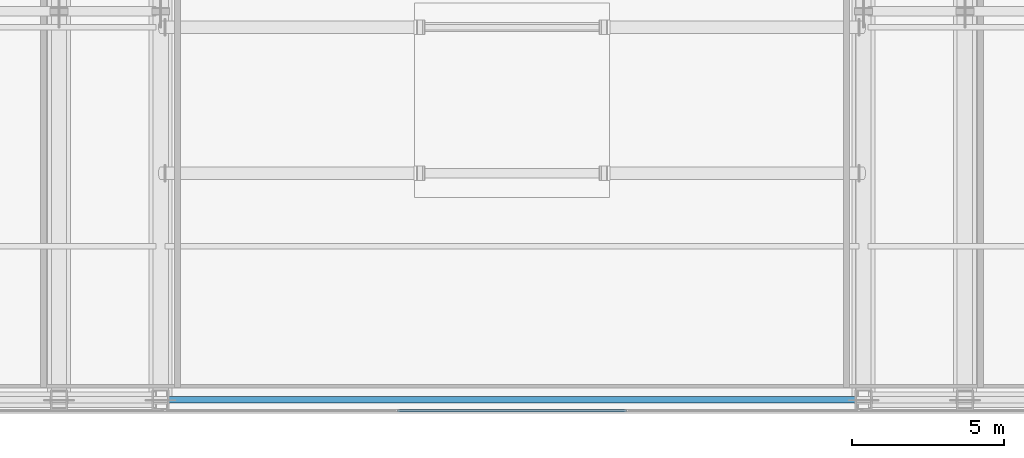
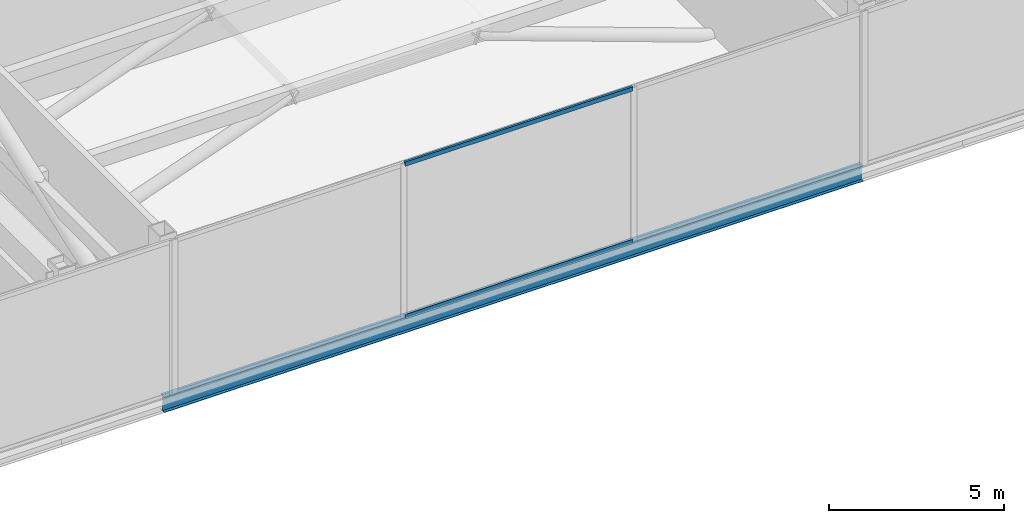
# One storey, part 7 of 26: 2 members, 1 beam, 1 element without a shape of its own.
"""IFC4 building model written with IfcOpenShell, lengths in metres."""

import ifcopenshell
import ifcopenshell.guid

model = None  # the IFC model being written
_history = None  # IfcOwnerHistory: only IFC2X3 demands one
_inside = {}  # id of a spatial element -> (the spatial element, [elements in it])
_under = {}  # id of a project, library or spatial element -> (it, [spatial elements below it])
_declared = {}  # id of a project -> (the project, [libraries it declares])
_typed = {}  # id of a type object -> (the type object, [elements of that type])
_made_of = {}  # id of a material, layer set ... -> (it, [elements and type objects made of it])


def new_model(schema):
    """Start an empty IFC model of exactly this schema.

    Asked for "IFC4X3", IfcOpenShell would pick the latest addendum, in which some entities
    have other attributes; the version numbers below select the first issue.
    IFC2X3 requires an IfcOwnerHistory on every rooted entity: one is made here for all.
    """
    global model, _history
    if schema == "IFC4X3":
        model = ifcopenshell.file(schema_version=(4, 3, 0, 0))
    else:
        model = ifcopenshell.file(schema=schema)
    _inside.clear()
    _under.clear()
    _declared.clear()
    _typed.clear()
    _made_of.clear()
    _history = None
    if model.schema == "IFC2X3":
        org = make("IfcOrganization", Name="unknown")
        user = make(
            "IfcPersonAndOrganization",
            ThePerson=make("IfcPerson", FamilyName="unknown"),
            TheOrganization=org,
        )
        app = make(
            "IfcApplication",
            ApplicationDeveloper=org,
            Version="unknown",
            ApplicationFullName="unknown",
            ApplicationIdentifier="unknown",
        )
        _history = make(
            "IfcOwnerHistory",
            OwningUser=user,
            OwningApplication=app,
            ChangeAction="ADDED",
            CreationDate=0,
        )
    return model


def make(cls, **values):
    """One entity of the class cls with the attributes given. An attribute that is None is left unset."""
    return model.create_entity(
        cls, **{name: value for name, value in values.items() if value is not None}
    )


def rooted(cls, **values):
    """An entity with a GlobalId (a new one), such as an element, a storey or a relation."""
    return make(cls, GlobalId=ifcopenshell.guid.new(), OwnerHistory=_history, **values)


def si_unit(unit_type, name, prefix=None):
    """IfcSIUnit, for example si_unit("LENGTHUNIT", "METRE", prefix="MILLI")."""
    return make("IfcSIUnit", UnitType=unit_type, Prefix=prefix, Name=name)


def assignment(units):
    """IfcUnitAssignment: the units of a project."""
    return None if units is None else make("IfcUnitAssignment", Units=units)


def point(xyz):
    """IfcCartesianPoint."""
    return None if xyz is None else make("IfcCartesianPoint", Coordinates=xyz)


def direction(xyz):
    """IfcDirection."""
    return None if xyz is None else make("IfcDirection", DirectionRatios=xyz)


def frame(location, z_axis=None, x_axis=None):
    """IfcAxis2Placement3D, a coordinate frame: its origin and axes. An axis left out is left unset."""
    return make(
        "IfcAxis2Placement3D",
        Location=point(location),
        Axis=direction(z_axis),
        RefDirection=direction(x_axis),
    )


def frame_2d(location, x_axis=None):
    """IfcAxis2Placement2D, a coordinate frame in the plane: its origin and x axis."""
    return make(
        "IfcAxis2Placement2D", Location=point(location), RefDirection=direction(x_axis)
    )


def origin():
    """The frame at (0, 0, 0) with its axes left unset."""
    return frame((0.0, 0.0, 0.0))


def origin_2d():
    """The frame at (0, 0) in the plane with its x axis left unset."""
    return frame_2d((0.0, 0.0))


def place(relative_to, where):
    """IfcLocalPlacement: puts the frame where relative to a parent placement (None: the world)."""
    return make(
        "IfcLocalPlacement", PlacementRelTo=relative_to, RelativePlacement=where
    )


def context(
    kind, dimensions, precision=None, world=None, true_north=None, identifier=None
):
    """IfcGeometricRepresentationContext, for example the 3D "Model" context."""
    return make(
        "IfcGeometricRepresentationContext",
        ContextIdentifier=identifier,
        ContextType=kind,
        CoordinateSpaceDimension=dimensions,
        Precision=precision,
        WorldCoordinateSystem=world,
        TrueNorth=true_north,
    )


def subcontext(parent, identifier, kind, view, scale=None):
    """IfcGeometricRepresentationSubContext, for example "Body" below "Model"."""
    return make(
        "IfcGeometricRepresentationSubContext",
        ContextIdentifier=identifier,
        ContextType=kind,
        ParentContext=parent,
        TargetScale=scale,
        TargetView=view,
    )


def project(units=None, contexts=None):
    """IfcProject with its units and contexts."""
    return rooted(
        "IfcProject",
        Name="project",
        RepresentationContexts=contexts,
        UnitsInContext=assignment(units),
    )


def spatial(cls, under=None, at=None, **own):
    """A site, building, storey or space (cls), placed at a placement, below another one or the project."""
    s = rooted(cls, ObjectPlacement=at, **own)
    if under is not None:
        _under.setdefault(under.id(), (under, []))[1].append(s)
    return s


def profile(cls, at=None, kind="AREA", **sizes):
    """A parametric profile (cls). Its sizes go by their IFC names, for example OverallWidth=200.0."""
    return make(cls, ProfileType=kind, Position=at, **sizes)


def hollow_rectangle(**sizes):
    """IfcRectangleHollowProfileDef."""
    return profile("IfcRectangleHollowProfileDef", **sizes)


def i_section(**sizes):
    """IfcIShapeProfileDef."""
    return profile("IfcIShapeProfileDef", **sizes)


def extrude(swept, where, along, depth):
    """IfcExtrudedAreaSolid: the profile swept, set in the frame where, extruded along a direction by depth."""
    return make(
        "IfcExtrudedAreaSolid",
        SweptArea=swept,
        Position=where,
        ExtrudedDirection=direction(along),
        Depth=depth,
    )


def shape(context_of_items, identifier, shape_type, items):
    """IfcShapeRepresentation: the items that make up one representation, for example the "Body"."""
    return make(
        "IfcShapeRepresentation",
        ContextOfItems=context_of_items,
        RepresentationIdentifier=identifier,
        RepresentationType=shape_type,
        Items=items,
    )


def material(Name=None, Category=None):
    """IfcMaterial."""
    return make("IfcMaterial", Name=Name, Category=Category)


def material_profile(
    of_material, cross_section, Name=None, Category=None, Priority=None
):
    """IfcMaterialProfile: a cross section and its material."""
    return make(
        "IfcMaterialProfile",
        Name=Name,
        Material=of_material,
        Profile=cross_section,
        Priority=Priority,
        Category=Category,
    )


def profile_set(profiles, Name=None, composite=None):
    """IfcMaterialProfileSet."""
    return make(
        "IfcMaterialProfileSet",
        Name=Name,
        MaterialProfiles=profiles,
        CompositeProfile=composite,
    )


def made_of(thing, what):
    """Note that an element or type object is made of a material, layer set ...; save() writes the relation."""
    if what is not None:
        _made_of.setdefault(what.id(), (what, []))[1].append(thing)
    return thing


def type_object(cls, material=None, **own):
    """A type object (cls), such as IfcWallType, which elements share."""
    return made_of(rooted(cls, **own), material)


def element(
    cls,
    number,
    at=None,
    inside=None,
    cuts=None,
    type_object=None,
    material=None,
    context=None,
    identifier="Body",
    shape_type=None,
    held_by="IfcProductDefinitionShape",
    body=None,
    shapes=None,
    **own,
):
    """One element of the class cls, such as IfcWall. Its Tag is "e" and its number.

    at: its placement. inside: the storey or other place that contains it. cuts: it is an
    opening in that element (IfcRelVoidsElement). A single representation is given by context,
    identifier, shape_type and body (its items); several are given by shapes. held_by: the class
    of the entity that holds the representations. save() writes the other relations.
    """
    e = rooted(cls, Tag="e%d" % number, ObjectPlacement=at, **own)
    if body is not None:
        shapes = [shape(context, identifier, shape_type, body)]
    if shapes is not None:
        e.Representation = make(held_by, Representations=shapes)
    if inside is not None:
        _inside.setdefault(inside.id(), (inside, []))[1].append(e)
    if cuts is not None:
        rooted(
            "IfcRelVoidsElement", RelatingBuildingElement=cuts, RelatedOpeningElement=e
        )
    if type_object is not None:
        _typed.setdefault(type_object.id(), (type_object, []))[1].append(e)
    return made_of(e, material)


def aggregate(whole, parts):
    """IfcRelAggregates: a whole, such as a stair, and the parts it consists of."""
    return rooted("IfcRelAggregates", RelatingObject=whole, RelatedObjects=parts)


def save(model, path):
    """Write the relations noted so far, then the file.

    IfcRelAggregates (storeys below a building ...), IfcRelContainedInSpatialStructure (elements
    in a storey), IfcRelDefinesByType, IfcRelAssociatesMaterial and IfcRelDeclares: one each for
    every whole, place, type object, material and project.
    """
    for whole, parts in _under.values():
        aggregate(whole, parts)
    for where, things in _inside.values():
        rooted(
            "IfcRelContainedInSpatialStructure",
            RelatedElements=things,
            RelatingStructure=where,
        )
    for kind, things in _typed.values():
        rooted("IfcRelDefinesByType", RelatedObjects=things, RelatingType=kind)
    for what, things in _made_of.values():
        rooted("IfcRelAssociatesMaterial", RelatedObjects=things, RelatingMaterial=what)
    for by, libraries in _declared.values():
        rooted("IfcRelDeclares", RelatingContext=by, RelatedDefinitions=libraries)
    model.write(path)


model = new_model("IFC4")

# Units and contexts
model_context = context("Model", 3, precision=1e-05, world=origin(), true_north=direction((0.0, 1.0)))
body_context = subcontext(model_context, "Body", "Model", "MODEL_VIEW")
ifc_project = project(units=[si_unit("LENGTHUNIT", "METRE"), si_unit("AREAUNIT", "SQUARE_METRE"), si_unit("VOLUMEUNIT", "CUBIC_METRE"), si_unit("PLANEANGLEUNIT", "RADIAN"), si_unit("MASSUNIT", "GRAM", prefix="KILO")], contexts=[model_context])

# Site, building, storey
site_placement = place(None, origin())
site = spatial("IfcSite", under=ifc_project, at=site_placement, CompositionType="ELEMENT")
building_placement = place(site_placement, origin())
building = spatial("IfcBuilding", under=site, at=building_placement, Name="Khoronbel Lancet Exchange", CompositionType="ELEMENT")
storey_placement = place(building_placement, frame((0.0, 0.0, 350.60009765625)))
storey = spatial("IfcBuildingStorey", under=building, at=storey_placement, Name="L91", CompositionType="ELEMENT", Elevation=350.60009765625)

# Beam
ifc_material_1 = material(Name="Steel S355", Category="steel")
ifc_material_profile_1 = material_profile(ifc_material_1, i_section(OverallWidth=0.2099609375, OverallDepth=0.550048828125, WebThickness=0.010986328125, FlangeThickness=0.01708984375, at=origin_2d()), Name="IPE 550")
ifc_profile_set_1 = profile_set([ifc_material_profile_1], Name="Steel S355")
beam_type = type_object("IfcBeamType", Name="BM-BSP3", PredefinedType="SPANDREL", material=ifc_profile_set_1)
beam_placement = place(storey_placement, frame((24.89990234375, 10.14990234375, -0.4951171875), z_axis=(1.0, 0.0, 0.0), x_axis=(0.0, 1.0, 0.0)))
element("IfcBeam", 1, at=beam_placement, inside=storey, type_object=beam_type, Name="Level L91 perimeter spandrel beam SP04", PredefinedType="SPANDREL", context=body_context, shape_type="SweptSolid", body=[
    extrude(i_section(OverallWidth=0.2099609375, OverallDepth=0.550048828125, WebThickness=0.010986328125, FlangeThickness=0.01708984375, at=origin_2d()), origin(), (0.0, 0.0, 1.0), 23.10009765625),
])

# Curtain wall, members
ifc_material_2 = material(Name="Low-E Solar Control Insulating Glass", Category="glass")
curtain_wall_type = type_object("IfcCurtainWallType", Name="CW-6", PredefinedType="NOTDEFINED", material=ifc_material_2)
curtain_wall_placement = place(storey_placement, origin())
curtain_wall = element("IfcCurtainWall", 2, at=curtain_wall_placement, inside=storey, type_object=curtain_wall_type, Name="Unitised curtain wall CW-L91-SC-TMD", PredefinedType="NOTDEFINED")
ifc_material_3 = material(Name="Bronze-Anodised Aluminium 6063-T6", Category="aluminium")
ifc_material_profile_2 = material_profile(ifc_material_3, hollow_rectangle(XDim=0.074951171875, YDim=0.14990234375, WallThickness=0.00439453125, at=origin_2d()), Name="ALU TRANSOM 75x150")
ifc_profile_set_2 = profile_set([ifc_material_profile_2], Name="Bronze-Anodised Aluminium 6063-T6")
member_type = type_object("IfcMemberType", Name="MEM-CWT2", PredefinedType="USERDEFINED", material=ifc_profile_set_2)
member_1_placement = place(storey_placement, frame((32.6875, 9.7900390625, 0.037353515625), z_axis=(1.0, 0.0, 0.0), x_axis=(0.0, 1.0, 0.0)))
member_1 = element("IfcMember", 3, at=member_1_placement, type_object=member_type, Name="CW6 transom 2.1", ObjectType="TRANSOM", PredefinedType="USERDEFINED", context=body_context, shape_type="SweptSolid", body=[
    extrude(hollow_rectangle(XDim=0.074951171875, YDim=0.14990234375, WallThickness=0.00439453125, at=origin_2d()), origin(), (0.0, 0.0, 1.0), 7.52490234375),
])
member_2_placement = place(storey_placement, frame((32.6875, 9.7900390625, 5.3623046875), z_axis=(1.0, 0.0, 0.0), x_axis=(0.0, 1.0, 0.0)))
member_2 = element("IfcMember", 4, at=member_2_placement, type_object=member_type, Name="CW6 transom 2.2", ObjectType="TRANSOM", PredefinedType="USERDEFINED", context=body_context, shape_type="SweptSolid", body=[
    extrude(hollow_rectangle(XDim=0.074951171875, YDim=0.14990234375, WallThickness=0.00439453125, at=origin_2d()), origin(), (0.0, 0.0, 1.0), 7.52490234375),
])
aggregate(curtain_wall, [member_1, member_2])

save(model, "model.ifc")
